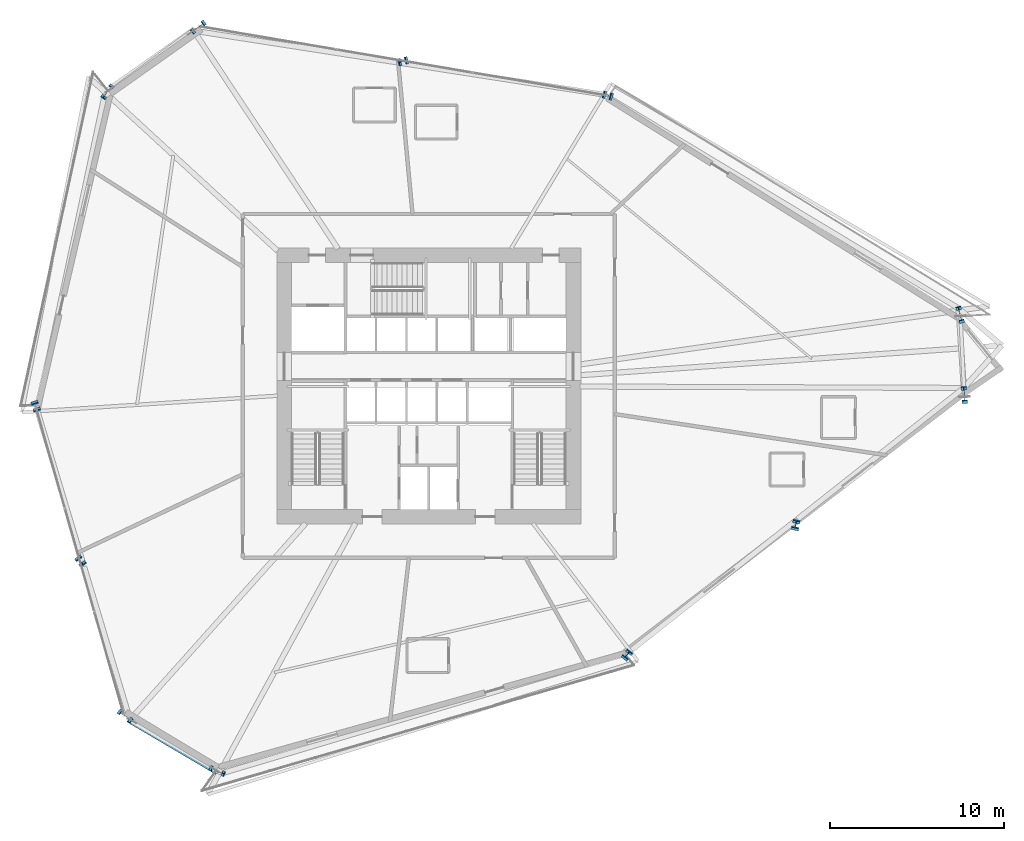
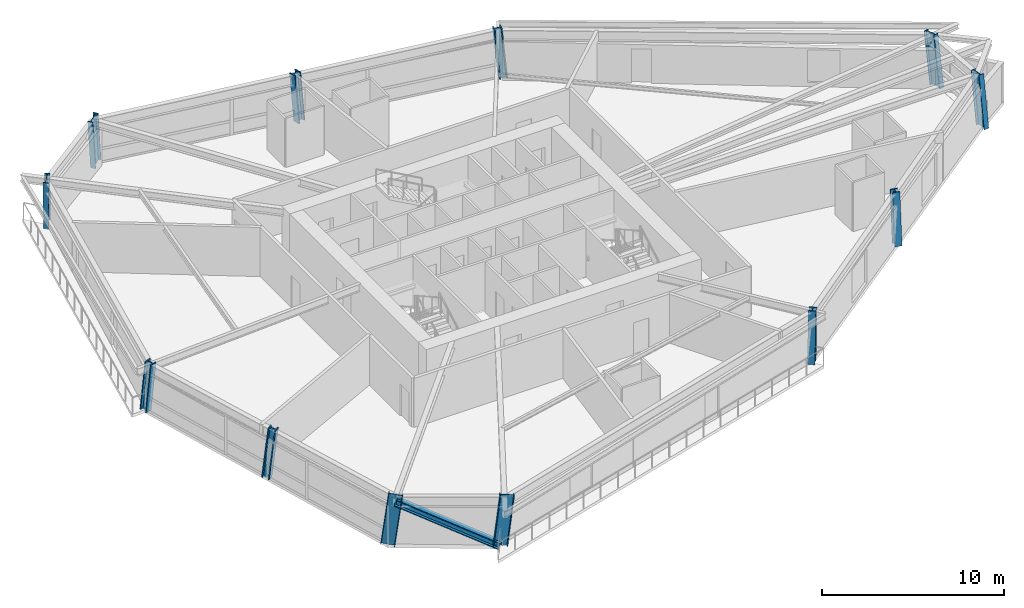
# One storey, part 1 of 21: 12 columns, 1 member.
"""IFC4 building model written with IfcOpenShell, lengths in metres."""

from ifc_helpers import new_model, si_unit, direction, frame, origin, origin_2d, place, context, subcontext, project, spatial, i_section, extrude, source, transform, mapped, material, material_profile, profile_set, type_object, element, save


model = new_model("IFC4")

# Units and contexts
model_context = context("Model", 3, precision=1e-05, world=origin(), true_north=direction((0.0, 1.0)))
body_context = subcontext(model_context, "Body", "Model", "MODEL_VIEW")
ifc_project = project(units=[si_unit("LENGTHUNIT", "METRE"), si_unit("AREAUNIT", "SQUARE_METRE"), si_unit("VOLUMEUNIT", "CUBIC_METRE"), si_unit("PLANEANGLEUNIT", "RADIAN"), si_unit("MASSUNIT", "GRAM", prefix="KILO")], contexts=[model_context])

# Site, building, storey
site_placement = place(None, origin())
site = spatial("IfcSite", under=ifc_project, at=site_placement, CompositionType="ELEMENT")
building_placement = place(site_placement, origin())
building = spatial("IfcBuilding", under=site, at=building_placement, Name="Olszyna Solenne Hotel", CompositionType="ELEMENT")
storey_placement = place(building_placement, frame((0.0, 0.0, 47.050048828125)))
storey = spatial("IfcBuildingStorey", under=building, at=storey_placement, Name="L11", CompositionType="ELEMENT", Elevation=47.050048828125)

# Columns
ifc_material = material(Name="Steel S460M", Category="steel")
ifc_material_profile_1 = material_profile(ifc_material, i_section(OverallWidth=0.30810546875, OverallDepth=0.81396484375, WebThickness=0.02099609375, FlangeThickness=0.0400390625, at=origin_2d()), Name="HEM 800", Category="load-bearing")
ifc_profile_set_1 = profile_set([ifc_material_profile_1], Name="Steel S460M")
column_type_1 = type_object("IfcColumnType", Name="COL-K1", PredefinedType="COLUMN", material=ifc_profile_set_1)
shared_shape_1 = source(origin(), body_context, "Body", "SweptSolid", [
    extrude(i_section(OverallWidth=0.30810546875, OverallDepth=0.81396484375, WebThickness=0.02099609375, FlangeThickness=0.0400390625, at=origin_2d()), origin(), (0.0, 0.0, 1.0), 3.422119140625),
])
column_1_placement = place(storey_placement, frame((68.8359375, 25.9873046875, 0.0), z_axis=(-0.011557789288, 0.146184631177, 0.989189805404), x_axis=(-0.996889101356, -0.078817000693, 0.0)))
element("IfcColumn", 1, at=column_1_placement, inside=storey, type_object=column_type_1, Name="Perimeter framed-tube column COL-K1 C-L11-01", PredefinedType="COLUMN", context=body_context, shape_type="MappedRepresentation", body=[
    mapped(shared_shape_1, transform((0.0, 0.0, 0.0), x_axis=(1.0, 0.0, 0.0), y_axis=(0.0, 1.0, 0.0), z_axis=(0.0, 0.0, 1.0), scale=1.0)),
])
ifc_material_profile_2 = material_profile(ifc_material, i_section(OverallWidth=0.424072265625, OverallDepth=0.47412109375, WebThickness=0.04296875, FlangeThickness=0.068115234375, at=origin_2d()), Name="HD 400x634", Category="load-bearing")
ifc_profile_set_2 = profile_set([ifc_material_profile_2], Name="Steel S460M")
column_type_2 = type_object("IfcColumnType", Name="COL-T1", PredefinedType="COLUMN", material=ifc_profile_set_2)
shared_shape_2 = source(origin(), body_context, "Body", "SweptSolid", [
    extrude(i_section(OverallWidth=0.424072265625, OverallDepth=0.47412109375, WebThickness=0.04296875, FlangeThickness=0.068115234375, at=origin_2d()), origin(), (0.0, 0.0, 1.0), 3.3994140625),
])
column_2_placement = place(storey_placement, frame((48.35107421875, 43.29931640625, 0.0), z_axis=(-0.088695640975, 0.02434641481, 0.995761183898), x_axis=(-0.264702744163, -0.96433005617, 0.0)))
element("IfcColumn", 2, at=column_2_placement, inside=storey, type_object=column_type_2, Name="Perimeter framed-tube column COL-T1 C-L11-03", PredefinedType="COLUMN", context=body_context, shape_type="MappedRepresentation", body=[
    mapped(shared_shape_2, transform((0.0, 0.0, 0.0), x_axis=(1.0, 0.0, 0.0), y_axis=(0.0, 1.0, 0.0), z_axis=(0.0, 0.0, 1.0), scale=1.0)),
])
shared_shape_3 = source(origin(), body_context, "Body", "SweptSolid", [
    extrude(i_section(OverallWidth=0.424072265625, OverallDepth=0.47412109375, WebThickness=0.04296875, FlangeThickness=0.068115234375, at=origin_2d()), origin(), (0.0, 0.0, 1.0), 3.400390625),
])
column_3_placement = place(storey_placement, frame((36.569580078125, 45.298828125, 0.0), z_axis=(-0.091686906918, -0.024411549219, 0.995488617396), x_axis=(0.257285839406, -0.966335343885, 0.0)))
element("IfcColumn", 3, at=column_3_placement, inside=storey, type_object=column_type_2, Name="Perimeter framed-tube column COL-T1 C-L11-04", PredefinedType="COLUMN", context=body_context, shape_type="MappedRepresentation", body=[
    mapped(shared_shape_3, transform((0.0, 0.0, 0.0), x_axis=(1.0, 0.0, 0.0), y_axis=(0.0, 1.0, 0.0), z_axis=(0.0, 0.0, 1.0), scale=1.0)),
])
shared_shape_4 = source(origin(), body_context, "Body", "SweptSolid", [
    extrude(i_section(OverallWidth=0.30810546875, OverallDepth=0.81396484375, WebThickness=0.02099609375, FlangeThickness=0.0400390625, at=origin_2d()), origin(), (0.0, 0.0, 1.0), 3.409423828125),
])
column_4_placement = place(storey_placement, frame((24.7880859375, 47.29833984375, 0.0), z_axis=(-0.094381115541, -0.072898312307, 0.99286355613), x_axis=(0.611276590314, -0.791417039325, 0.0)))
element("IfcColumn", 4, at=column_4_placement, inside=storey, type_object=column_type_1, Name="Perimeter framed-tube column COL-K1 C-L11-05", PredefinedType="COLUMN", context=body_context, shape_type="MappedRepresentation", body=[
    mapped(shared_shape_4, transform((0.0, 0.0, 0.0), x_axis=(1.0, 0.0, 0.0), y_axis=(0.0, 1.0, 0.0), z_axis=(0.0, 0.0, 1.0), scale=1.0)),
])
shared_shape_5 = source(origin(), body_context, "Body", "SweptSolid", [
    extrude(i_section(OverallWidth=0.30810546875, OverallDepth=0.81396484375, WebThickness=0.02099609375, FlangeThickness=0.0400390625, at=origin_2d()), origin(), (0.0, 0.0, 1.0), 3.4052734375),
])
column_5_placement = place(storey_placement, frame((19.549560546875, 43.5888671875, 0.0), z_axis=(-0.064667814066, -0.087824913781, 0.99403463639), x_axis=(0.805254059608, -0.592929927972, 0.0)))
element("IfcColumn", 5, at=column_5_placement, inside=storey, type_object=column_type_1, Name="Perimeter framed-tube column COL-K1 C-L11-06", PredefinedType="COLUMN", context=body_context, shape_type="MappedRepresentation", body=[
    mapped(shared_shape_5, transform((0.0, 0.0, 0.0), x_axis=(1.0, 0.0, 0.0), y_axis=(0.0, 1.0, 0.0), z_axis=(0.0, 0.0, 1.0), scale=1.0)),
])
shared_shape_6 = source(origin(), body_context, "Body", "SweptSolid", [
    extrude(i_section(OverallWidth=0.424072265625, OverallDepth=0.47412109375, WebThickness=0.04296875, FlangeThickness=0.068115234375, at=origin_2d()), origin(), (0.0, 0.0, 1.0), 3.406494140625),
])
column_6_placement = place(storey_placement, frame((17.9091796875, 16.57470703125, 0.0), z_axis=(0.067226660007, -0.089587766534, 0.993707506398), x_axis=(0.799846403286, 0.600204741026, 0.0)))
element("IfcColumn", 6, at=column_6_placement, inside=storey, type_object=column_type_2, Name="Perimeter framed-tube column COL-T1 C-L11-08", PredefinedType="COLUMN", context=body_context, shape_type="MappedRepresentation", body=[
    mapped(shared_shape_6, transform((0.0, 0.0, 0.0), x_axis=(1.0, 0.0, 0.0), y_axis=(0.0, 1.0, 0.0), z_axis=(0.0, 0.0, 1.0), scale=1.0)),
])
shared_shape_7 = source(origin(), body_context, "Body", "SweptSolid", [
    extrude(i_section(OverallWidth=0.30810546875, OverallDepth=0.81396484375, WebThickness=0.02099609375, FlangeThickness=0.0400390625, at=origin_2d()), origin(), (0.0, 0.0, 1.0), 3.412353515625),
])
column_7_placement = place(storey_placement, frame((20.460205078125, 7.6484375, 0.0), z_axis=(0.100596245747, -0.076126888674, 0.992010631073), x_axis=(0.603442670186, 0.797406385602, 0.0)))
element("IfcColumn", 7, at=column_7_placement, inside=storey, type_object=column_type_1, Name="Perimeter framed-tube column COL-K1 C-L11-09", PredefinedType="COLUMN", context=body_context, shape_type="MappedRepresentation", body=[
    mapped(shared_shape_7, transform((0.0, 0.0, 0.0), x_axis=(1.0, 0.0, 0.0), y_axis=(0.0, 1.0, 0.0), z_axis=(0.0, 0.0, 1.0), scale=1.0)),
])
shared_shape_8 = source(origin(), body_context, "Body", "SweptSolid", [
    extrude(i_section(OverallWidth=0.30810546875, OverallDepth=0.81396484375, WebThickness=0.02099609375, FlangeThickness=0.0400390625, at=origin_2d()), origin(), (0.0, 0.0, 1.0), 3.40625),
])
column_8_placement = place(storey_placement, frame((25.76025390625, 4.464111328125, 0.0), z_axis=(0.102280047299, -0.044223398166, 0.993772148422), x_axis=(0.396867213304, 0.91787603466, 0.0)))
element("IfcColumn", 8, at=column_8_placement, inside=storey, type_object=column_type_1, Name="Perimeter framed-tube column COL-K1 C-L11-10", PredefinedType="COLUMN", context=body_context, shape_type="MappedRepresentation", body=[
    mapped(shared_shape_8, transform((0.0, 0.0, 0.0), x_axis=(1.0, 0.0, 0.0), y_axis=(0.0, 1.0, 0.0), z_axis=(0.0, 0.0, 1.0), scale=1.0)),
])
shared_shape_9 = source(origin(), body_context, "Body", "SweptSolid", [
    extrude(i_section(OverallWidth=0.424072265625, OverallDepth=0.47412109375, WebThickness=0.04296875, FlangeThickness=0.068115234375, at=origin_2d()), origin(), (0.0, 0.0, 1.0), 3.400146484375),
])
column_9_placement = place(storey_placement, frame((49.375732421875, 11.06787109375, 0.0), z_axis=(0.057730403011, 0.074317123279, 0.995562236003), x_axis=(-0.789721843632, 0.613465084329, 0.0)))
element("IfcColumn", 9, at=column_9_placement, inside=storey, type_object=column_type_2, Name="Perimeter framed-tube column COL-T1 C-L11-11", PredefinedType="COLUMN", context=body_context, shape_type="MappedRepresentation", body=[
    mapped(shared_shape_9, transform((0.0, 0.0, 0.0), x_axis=(1.0, 0.0, 0.0), y_axis=(0.0, 1.0, 0.0), z_axis=(0.0, 0.0, 1.0), scale=1.0)),
])
shared_shape_10 = source(origin(), body_context, "Body", "SweptSolid", [
    extrude(i_section(OverallWidth=0.30810546875, OverallDepth=0.81396484375, WebThickness=0.02099609375, FlangeThickness=0.0400390625, at=origin_2d()), origin(), (0.0, 0.0, 1.0), 3.41748046875),
])
column_10_placement = place(storey_placement, frame((68.605712890625, 30.613037109375, 0.0), z_axis=(-0.032146436914, 0.13394348714, 0.990467439569), x_axis=(-0.972387301981, -0.233372952475, 0.0)))
element("IfcColumn", 10, at=column_10_placement, inside=storey, type_object=column_type_1, Name="Perimeter framed-tube column COL-K1 C-L11-02", PredefinedType="COLUMN", context=body_context, shape_type="MappedRepresentation", body=[
    mapped(shared_shape_10, transform((0.0, 0.0, 0.0), x_axis=(1.0, 0.0, 0.0), y_axis=(0.0, 1.0, 0.0), z_axis=(0.0, 0.0, 1.0), scale=1.0)),
])
shared_shape_11 = source(origin(), body_context, "Body", "SweptSolid", [
    extrude(i_section(OverallWidth=0.424072265625, OverallDepth=0.47412109375, WebThickness=0.04296875, FlangeThickness=0.068115234375, at=origin_2d()), origin(), (0.0, 0.0, 1.0), 3.405029296875),
])
column_11_placement = place(storey_placement, frame((15.3583984375, 25.5009765625, 0.0), z_axis=(0.033555804758, -0.102890127836, 0.994126566168), x_axis=(0.95071710334, 0.310059654609, 0.0)))
element("IfcColumn", 11, at=column_11_placement, inside=storey, type_object=column_type_2, Name="Perimeter framed-tube column COL-T1 C-L11-07", PredefinedType="COLUMN", context=body_context, shape_type="MappedRepresentation", body=[
    mapped(shared_shape_11, transform((0.0, 0.0, 0.0), x_axis=(1.0, 0.0, 0.0), y_axis=(0.0, 1.0, 0.0), z_axis=(0.0, 0.0, 1.0), scale=1.0)),
])
shared_shape_12 = source(origin(), body_context, "Body", "SweptSolid", [
    extrude(i_section(OverallWidth=0.424072265625, OverallDepth=0.47412109375, WebThickness=0.04296875, FlangeThickness=0.068115234375, at=origin_2d()), origin(), (0.0, 0.0, 1.0), 3.40673828125),
])
column_12_placement = place(storey_placement, frame((59.10595703125, 18.527587890625, 0.0), z_axis=(0.022932240853, 0.110504735609, 0.993610998197), x_axis=(-0.979138604962, 0.203193484817, 0.0)))
element("IfcColumn", 12, at=column_12_placement, inside=storey, type_object=column_type_2, Name="Perimeter framed-tube column COL-T1 C-L11-12", PredefinedType="COLUMN", context=body_context, shape_type="MappedRepresentation", body=[
    mapped(shared_shape_12, transform((0.0, 0.0, 0.0), x_axis=(1.0, 0.0, 0.0), y_axis=(0.0, 1.0, 0.0), z_axis=(0.0, 0.0, 1.0), scale=1.0)),
])

# Member
ifc_material_profile_3 = material_profile(ifc_material, i_section(OverallWidth=0.412109375, OverallDepth=0.43505859375, WebThickness=0.031494140625, FlangeThickness=0.050048828125, at=origin_2d()), Name="HD 400x463", Category="load-bearing")
ifc_profile_set_3 = profile_set([ifc_material_profile_3], Name="Steel S460M")
member_type = type_object("IfcMemberType", Name="BR-T1", PredefinedType="BRACE", material=ifc_profile_set_3)
shared_shape_13 = source(origin(), body_context, "Body", "SweptSolid", [
    extrude(i_section(OverallWidth=0.412109375, OverallDepth=0.43505859375, WebThickness=0.031494140625, FlangeThickness=0.050048828125, at=origin_2d()), origin(), (0.0, 0.0, 1.0), 6.44677734375),
])
member_placement = place(storey_placement, frame((25.76025390625, 4.464111328125, 0.010009765625), z_axis=(-0.768868573504, 0.453641168399, 0.450611592185), x_axis=(-0.508156099356, -0.861264987497, 0.0)))
element("IfcMember", 13, at=member_placement, inside=storey, type_object=member_type, Name="Perimeter braced-tube diagonal BR-T1 BR-L11-3", PredefinedType="BRACE", context=body_context, shape_type="MappedRepresentation", body=[
    mapped(shared_shape_13, transform((0.0, 0.0, 0.0), x_axis=(1.0, 0.0, 0.0), y_axis=(0.0, 1.0, 0.0), z_axis=(0.0, 0.0, 1.0), scale=1.0)),
])

save(model, "model.ifc")
